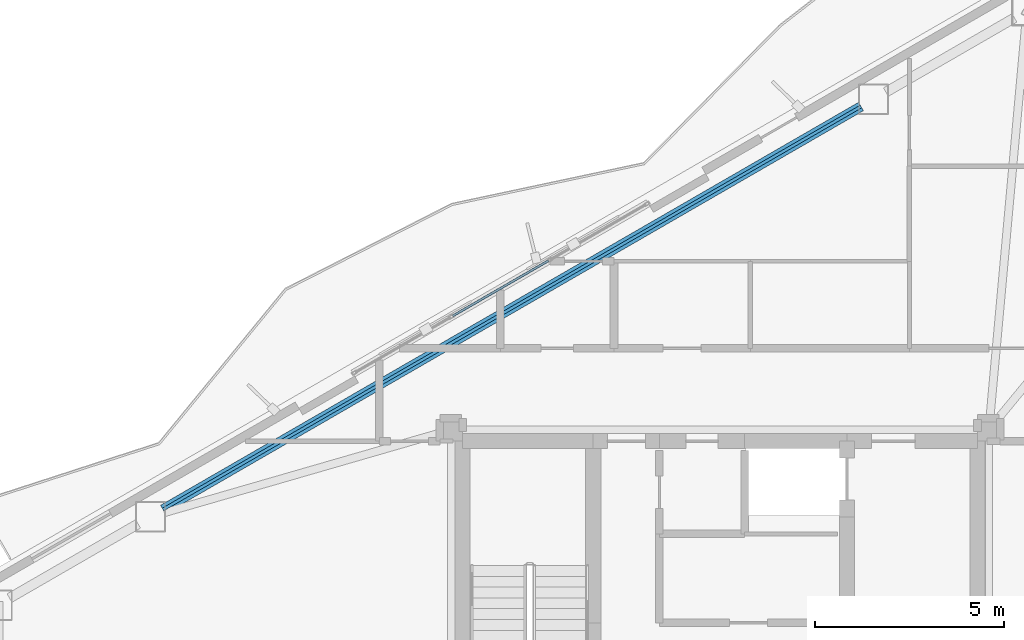
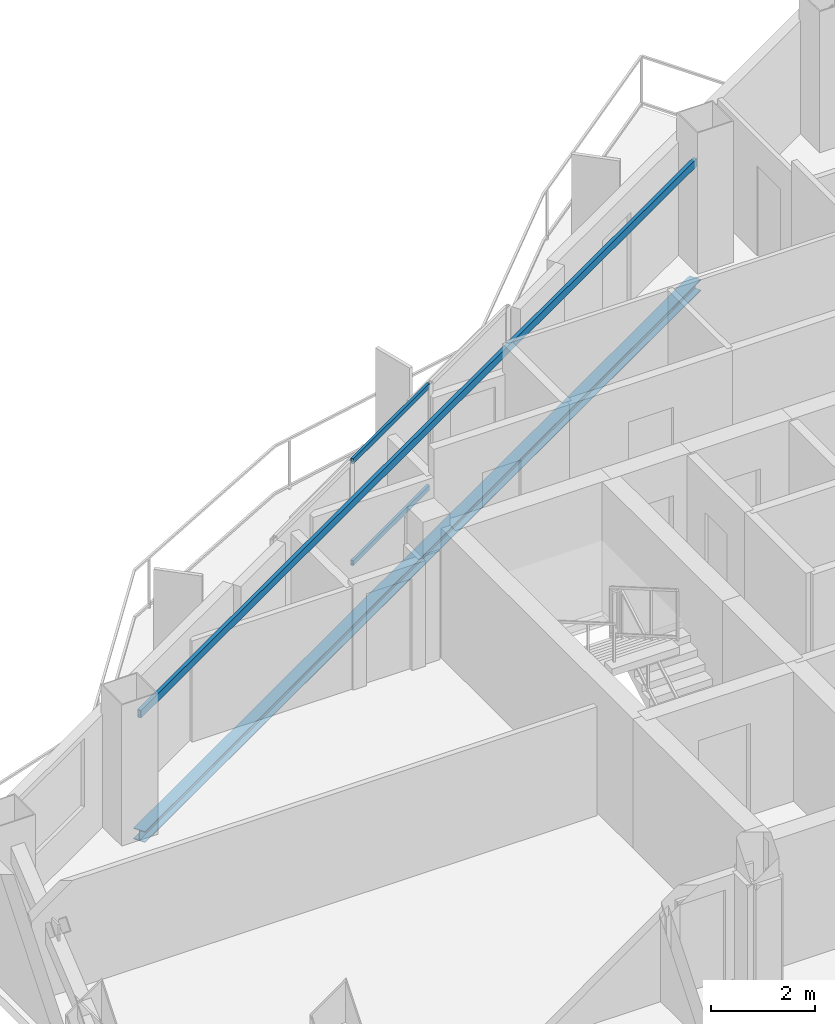
# One storey, part 9 of 21: 2 beams, 2 members, 1 element without a shape of its own.
"""IFC4 building model written with IfcOpenShell, lengths in metres."""

from ifc_helpers import new_model, si_unit, direction, frame, origin, origin_2d, place, context, subcontext, project, spatial, hollow_rectangle, i_section, extrude, material, layer, layer_set, material_profile, profile_set, type_object, element, aggregate, save


model = new_model("IFC4")

# Units and contexts
model_context = context("Model", 3, precision=1e-05, world=origin(), true_north=direction((0.0, 1.0)))
body_context = subcontext(model_context, "Body", "Model", "MODEL_VIEW")
ifc_project = project(units=[si_unit("LENGTHUNIT", "METRE"), si_unit("AREAUNIT", "SQUARE_METRE"), si_unit("VOLUMEUNIT", "CUBIC_METRE"), si_unit("PLANEANGLEUNIT", "RADIAN"), si_unit("MASSUNIT", "GRAM", prefix="KILO")], contexts=[model_context])

# Site, building, storey
site_placement = place(None, origin())
site = spatial("IfcSite", under=ifc_project, at=site_placement, CompositionType="ELEMENT")
building_placement = place(site_placement, origin())
building = spatial("IfcBuilding", under=site, at=building_placement, Name="Mersakhor Tower and Convention Hall", CompositionType="ELEMENT")
storey_placement = place(building_placement, frame((0.0, 0.0, 215.10009765625)))
storey = spatial("IfcBuildingStorey", under=building, at=storey_placement, Name="L60", CompositionType="ELEMENT", Elevation=215.10009765625)

# Beams
ifc_material_1 = material(Name="Steel S355", Category="steel")
ifc_material_profile_1 = material_profile(ifc_material_1, hollow_rectangle(XDim=0.080078125, YDim=0.179931640625, WallThickness=0.008056640625, at=origin_2d()), Name="RHS 180x80x8")
ifc_profile_set_1 = profile_set([ifc_material_profile_1], Name="Steel S355")
beam_type_1 = type_object("IfcBeamType", Name="BM-GRT-RHS180", PredefinedType="USERDEFINED", material=ifc_profile_set_1)
beam_1_placement = place(storey_placement, frame((14.288818359375, 30.94482421875, 2.47998046875), z_axis=(0.866024569776, 0.500001444543, 0.0), x_axis=(-0.500001444543, 0.866024569776, 0.0)))
element("IfcBeam", 1, at=beam_1_placement, inside=storey, type_object=beam_type_1, Name="L60 Facade Support Girt GRT-F1", ObjectType="GIRT", PredefinedType="USERDEFINED", context=body_context, shape_type="SweptSolid", body=[
    extrude(hollow_rectangle(XDim=0.080078125, YDim=0.179931640625, WallThickness=0.008056640625, at=origin_2d()), origin(), (0.0, 0.0, 1.0), 21.28564453125),
])
ifc_material_2 = material(Name="Steel S355", Category="steel")
ifc_material_profile_2 = material_profile(ifc_material_2, i_section(OverallWidth=0.25634765625, OverallDepth=0.26025390625, WebThickness=0.01025390625, FlangeThickness=0.017333984375, at=origin_2d()), Name="UC 254x254x89")
ifc_profile_set_2 = profile_set([ifc_material_profile_2], Name="Steel S355")
beam_type_2 = type_object("IfcBeamType", Name="BM-SPD-UC254", PredefinedType="SPANDREL", material=ifc_profile_set_2)
beam_2_placement = place(storey_placement, frame((14.288818359375, 30.94482421875, -0.360107421875), z_axis=(0.866024569776, 0.500001444543, 0.0), x_axis=(-0.500001444543, 0.866024569776, 0.0)))
element("IfcBeam", 2, at=beam_2_placement, inside=storey, type_object=beam_type_2, Name="L60 Perimeter Spandrel Beam SPB-02", PredefinedType="SPANDREL", context=body_context, shape_type="SweptSolid", body=[
    extrude(i_section(OverallWidth=0.25634765625, OverallDepth=0.26025390625, WebThickness=0.01025390625, FlangeThickness=0.017333984375, at=origin_2d()), origin(), (0.0, 0.0, 1.0), 21.28564453125),
])

# Curtain wall, members
ifc_material_3 = material(Name="Dark solar low-E aluminium curtain wall", Category="aluminium")
ifc_layer = layer(ifc_material_3, 0.169921875)
ifc_layer_set = layer_set([ifc_layer], Name="Dark solar low-E aluminium curtain wall")
curtain_wall_type = type_object("IfcCurtainWallType", Name="CW-SYS-02", PredefinedType="USERDEFINED", material=ifc_layer_set)
curtain_wall_placement = place(storey_placement, origin())
curtain_wall = element("IfcCurtainWall", 3, at=curtain_wall_placement, inside=storey, type_object=curtain_wall_type, Name="L60 Dark-Glass Curtain Wall F1-B2", ObjectType="CURTAIN WALL", PredefinedType="USERDEFINED")
ifc_material_4 = material(Name="Anodised aluminium EN AW-6063 T6", Category="aluminium")
ifc_material_profile_3 = material_profile(ifc_material_4, hollow_rectangle(XDim=0.06005859375, YDim=0.1201171875, WallThickness=0.0048828125, at=origin_2d()), Name="RHS 120x60x5")
ifc_profile_set_3 = profile_set([ifc_material_profile_3], Name="Anodised aluminium EN AW-6063 T6")
member_type = type_object("IfcMemberType", Name="CWT-120x60", PredefinedType="USERDEFINED", material=ifc_profile_set_3)
member_1_placement = place(storey_placement, frame((21.939453125, 36.0546875, 0.22998046875), z_axis=(0.866004860328, 0.500035580622, 0.0), x_axis=(-0.500035580622, 0.866004860328, 0.0)))
member_1 = element("IfcMember", 4, at=member_1_placement, type_object=member_type, Name="CW-02 transom 2.1", ObjectType="TRANSOM", PredefinedType="USERDEFINED", context=body_context, shape_type="SweptSolid", body=[
    extrude(hollow_rectangle(XDim=0.06005859375, YDim=0.1201171875, WallThickness=0.0048828125, at=origin_2d()), origin(), (0.0, 0.0, 1.0), 2.924560546875),
])
member_2_placement = place(storey_placement, frame((21.939453125, 36.0546875, 2.60986328125), z_axis=(0.866004860328, 0.500035580622, 0.0), x_axis=(-0.500035580622, 0.866004860328, 0.0)))
member_2 = element("IfcMember", 5, at=member_2_placement, type_object=member_type, Name="CW-02 transom 2.2", ObjectType="TRANSOM", PredefinedType="USERDEFINED", context=body_context, shape_type="SweptSolid", body=[
    extrude(hollow_rectangle(XDim=0.06005859375, YDim=0.1201171875, WallThickness=0.0048828125, at=origin_2d()), origin(), (0.0, 0.0, 1.0), 2.924560546875),
])
aggregate(curtain_wall, [member_1, member_2])

save(model, "model.ifc")
